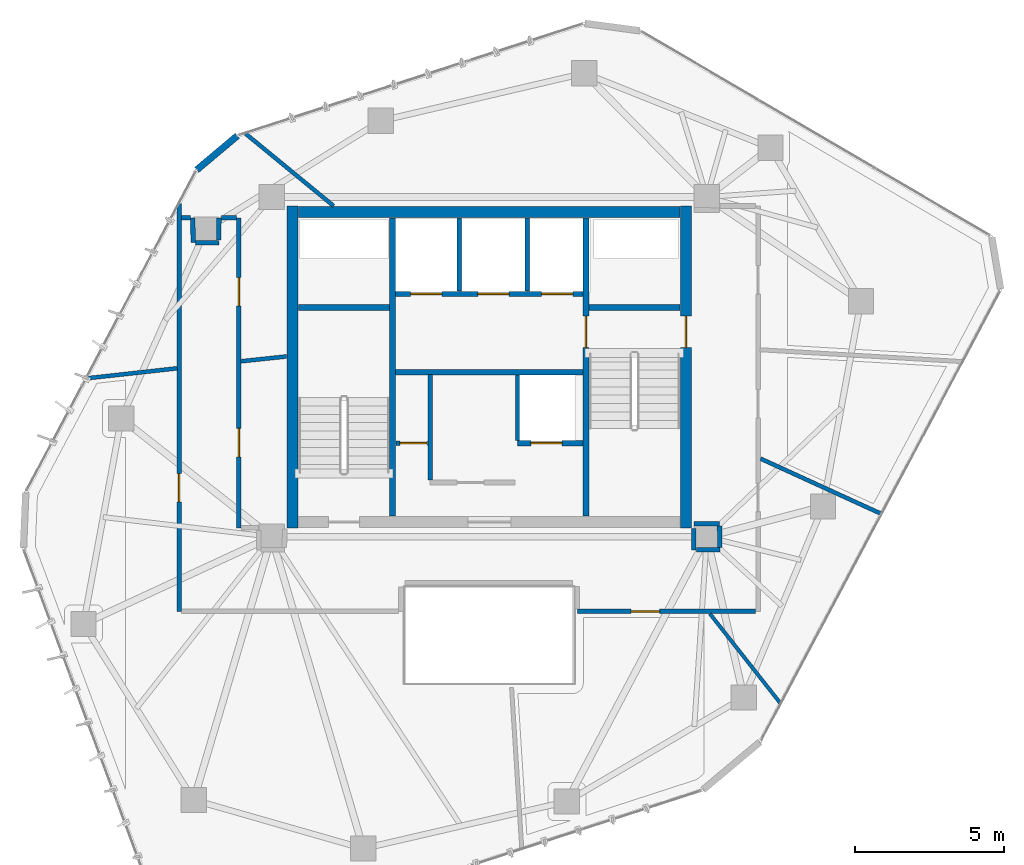
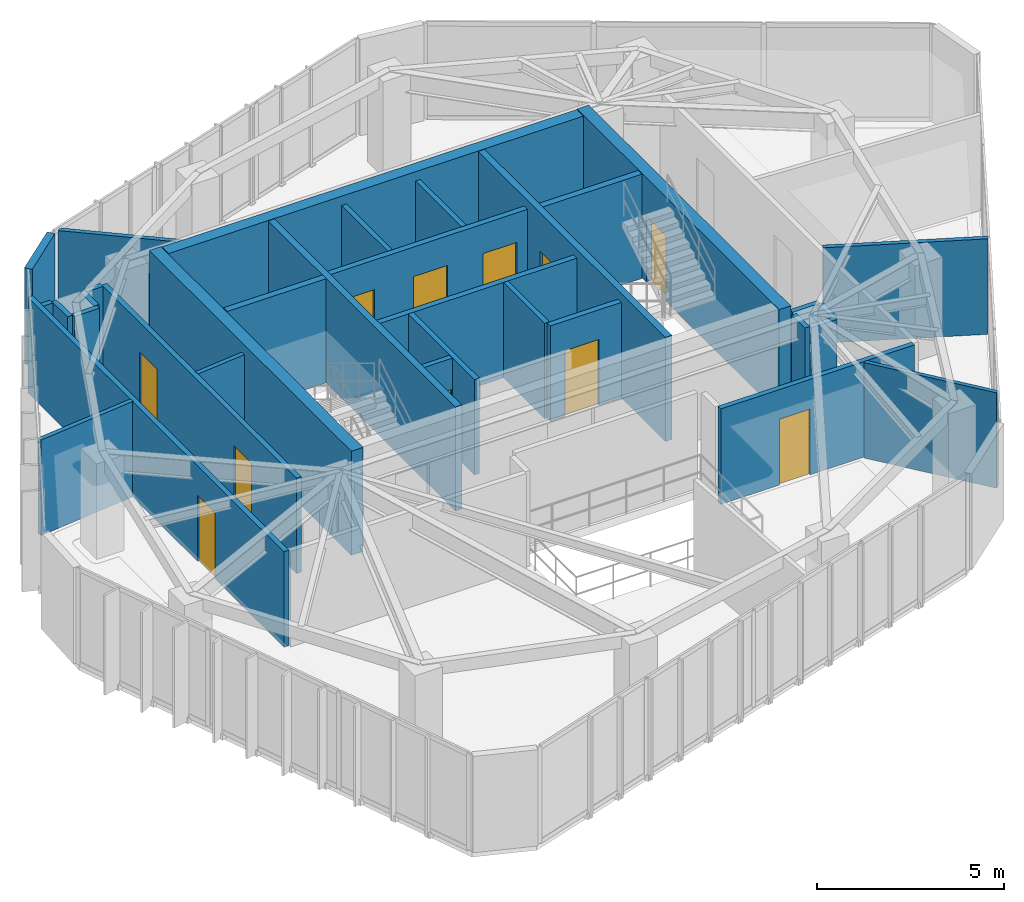
# One storey, part 16 of 19: 33 walls, 11 doors, 11 openings.
"""IFC4 building model written with IfcOpenShell, lengths in metres."""

import ifcopenshell
import ifcopenshell.guid

model = None  # the IFC model being written
_history = None  # IfcOwnerHistory: only IFC2X3 demands one
_inside = {}  # id of a spatial element -> (the spatial element, [elements in it])
_under = {}  # id of a project, library or spatial element -> (it, [spatial elements below it])
_declared = {}  # id of a project -> (the project, [libraries it declares])
_typed = {}  # id of a type object -> (the type object, [elements of that type])
_made_of = {}  # id of a material, layer set ... -> (it, [elements and type objects made of it])


def new_model(schema):
    """Start an empty IFC model of exactly this schema.

    Asked for "IFC4X3", IfcOpenShell would pick the latest addendum, in which some entities
    have other attributes; the version numbers below select the first issue.
    IFC2X3 requires an IfcOwnerHistory on every rooted entity: one is made here for all.
    """
    global model, _history
    if schema == "IFC4X3":
        model = ifcopenshell.file(schema_version=(4, 3, 0, 0))
    else:
        model = ifcopenshell.file(schema=schema)
    _inside.clear()
    _under.clear()
    _declared.clear()
    _typed.clear()
    _made_of.clear()
    _history = None
    if model.schema == "IFC2X3":
        org = make("IfcOrganization", Name="unknown")
        user = make(
            "IfcPersonAndOrganization",
            ThePerson=make("IfcPerson", FamilyName="unknown"),
            TheOrganization=org,
        )
        app = make(
            "IfcApplication",
            ApplicationDeveloper=org,
            Version="unknown",
            ApplicationFullName="unknown",
            ApplicationIdentifier="unknown",
        )
        _history = make(
            "IfcOwnerHistory",
            OwningUser=user,
            OwningApplication=app,
            ChangeAction="ADDED",
            CreationDate=0,
        )
    return model


def make(cls, **values):
    """One entity of the class cls with the attributes given. An attribute that is None is left unset."""
    return model.create_entity(
        cls, **{name: value for name, value in values.items() if value is not None}
    )


def rooted(cls, **values):
    """An entity with a GlobalId (a new one), such as an element, a storey or a relation."""
    return make(cls, GlobalId=ifcopenshell.guid.new(), OwnerHistory=_history, **values)


def si_unit(unit_type, name, prefix=None):
    """IfcSIUnit, for example si_unit("LENGTHUNIT", "METRE", prefix="MILLI")."""
    return make("IfcSIUnit", UnitType=unit_type, Prefix=prefix, Name=name)


def assignment(units):
    """IfcUnitAssignment: the units of a project."""
    return None if units is None else make("IfcUnitAssignment", Units=units)


def point(xyz):
    """IfcCartesianPoint."""
    return None if xyz is None else make("IfcCartesianPoint", Coordinates=xyz)


def direction(xyz):
    """IfcDirection."""
    return None if xyz is None else make("IfcDirection", DirectionRatios=xyz)


def frame(location, z_axis=None, x_axis=None):
    """IfcAxis2Placement3D, a coordinate frame: its origin and axes. An axis left out is left unset."""
    return make(
        "IfcAxis2Placement3D",
        Location=point(location),
        Axis=direction(z_axis),
        RefDirection=direction(x_axis),
    )


def frame_2d(location, x_axis=None):
    """IfcAxis2Placement2D, a coordinate frame in the plane: its origin and x axis."""
    return make(
        "IfcAxis2Placement2D", Location=point(location), RefDirection=direction(x_axis)
    )


def origin():
    """The frame at (0, 0, 0) with its axes left unset."""
    return frame((0.0, 0.0, 0.0))


def place(relative_to, where):
    """IfcLocalPlacement: puts the frame where relative to a parent placement (None: the world)."""
    return make(
        "IfcLocalPlacement", PlacementRelTo=relative_to, RelativePlacement=where
    )


def context(
    kind, dimensions, precision=None, world=None, true_north=None, identifier=None
):
    """IfcGeometricRepresentationContext, for example the 3D "Model" context."""
    return make(
        "IfcGeometricRepresentationContext",
        ContextIdentifier=identifier,
        ContextType=kind,
        CoordinateSpaceDimension=dimensions,
        Precision=precision,
        WorldCoordinateSystem=world,
        TrueNorth=true_north,
    )


def subcontext(parent, identifier, kind, view, scale=None):
    """IfcGeometricRepresentationSubContext, for example "Body" below "Model"."""
    return make(
        "IfcGeometricRepresentationSubContext",
        ContextIdentifier=identifier,
        ContextType=kind,
        ParentContext=parent,
        TargetScale=scale,
        TargetView=view,
    )


def project(units=None, contexts=None):
    """IfcProject with its units and contexts."""
    return rooted(
        "IfcProject",
        Name="project",
        RepresentationContexts=contexts,
        UnitsInContext=assignment(units),
    )


def spatial(cls, under=None, at=None, **own):
    """A site, building, storey or space (cls), placed at a placement, below another one or the project."""
    s = rooted(cls, ObjectPlacement=at, **own)
    if under is not None:
        _under.setdefault(under.id(), (under, []))[1].append(s)
    return s


def profile(cls, at=None, kind="AREA", **sizes):
    """A parametric profile (cls). Its sizes go by their IFC names, for example OverallWidth=200.0."""
    return make(cls, ProfileType=kind, Position=at, **sizes)


def rectangle(**sizes):
    """IfcRectangleProfileDef."""
    return profile("IfcRectangleProfileDef", **sizes)


def extrude(swept, where, along, depth):
    """IfcExtrudedAreaSolid: the profile swept, set in the frame where, extruded along a direction by depth."""
    return make(
        "IfcExtrudedAreaSolid",
        SweptArea=swept,
        Position=where,
        ExtrudedDirection=direction(along),
        Depth=depth,
    )


def shape(context_of_items, identifier, shape_type, items):
    """IfcShapeRepresentation: the items that make up one representation, for example the "Body"."""
    return make(
        "IfcShapeRepresentation",
        ContextOfItems=context_of_items,
        RepresentationIdentifier=identifier,
        RepresentationType=shape_type,
        Items=items,
    )


def source(mapping_origin, context_of_items, identifier, shape_type, items):
    """IfcRepresentationMap: a shape defined once, which mapped items show again and again."""
    return make(
        "IfcRepresentationMap",
        MappingOrigin=mapping_origin,
        MappedRepresentation=shape(context_of_items, identifier, shape_type, items),
    )


def transform(
    local_origin,
    x_axis=None,
    y_axis=None,
    z_axis=None,
    scale=None,
    scale2=None,
    scale3=None,
    uniform=True,
):
    """IfcCartesianTransformationOperator3D, or its non-uniform kind. x_axis, y_axis, z_axis: its Axis1, 2, 3."""
    if uniform:
        return make(
            "IfcCartesianTransformationOperator3D",
            Axis1=direction(x_axis),
            Axis2=direction(y_axis),
            LocalOrigin=point(local_origin),
            Scale=scale,
            Axis3=direction(z_axis),
        )
    return make(
        "IfcCartesianTransformationOperator3DnonUniform",
        Axis1=direction(x_axis),
        Axis2=direction(y_axis),
        LocalOrigin=point(local_origin),
        Scale=scale,
        Axis3=direction(z_axis),
        Scale2=scale2,
        Scale3=scale3,
    )


def mapped(mapping_source, mapping_target):
    """IfcMappedItem: shows the shape of a source again, moved by a transform."""
    return make(
        "IfcMappedItem", MappingSource=mapping_source, MappingTarget=mapping_target
    )


def material(Name=None, Category=None):
    """IfcMaterial."""
    return make("IfcMaterial", Name=Name, Category=Category)


def layer(
    of_material, thickness, ventilated=None, Name=None, Category=None, Priority=None
):
    """IfcMaterialLayer: one layer of a wall or slab, of a material (None: an air gap)."""
    return make(
        "IfcMaterialLayer",
        Material=of_material,
        LayerThickness=thickness,
        IsVentilated=ventilated,
        Name=Name,
        Category=Category,
        Priority=Priority,
    )


def layer_set(layers, Name=None):
    """IfcMaterialLayerSet."""
    return make("IfcMaterialLayerSet", MaterialLayers=layers, LayerSetName=Name)


def made_of(thing, what):
    """Note that an element or type object is made of a material, layer set ...; save() writes the relation."""
    if what is not None:
        _made_of.setdefault(what.id(), (what, []))[1].append(thing)
    return thing


def type_object(cls, material=None, **own):
    """A type object (cls), such as IfcWallType, which elements share."""
    return made_of(rooted(cls, **own), material)


def type_shapes(of_type, sources):
    """Give a type object the sources (RepresentationMaps) that its elements show as mapped items."""
    of_type.RepresentationMaps = sources


def element(
    cls,
    number,
    at=None,
    inside=None,
    cuts=None,
    type_object=None,
    material=None,
    context=None,
    identifier="Body",
    shape_type=None,
    held_by="IfcProductDefinitionShape",
    body=None,
    shapes=None,
    **own,
):
    """One element of the class cls, such as IfcWall. Its Tag is "e" and its number.

    at: its placement. inside: the storey or other place that contains it. cuts: it is an
    opening in that element (IfcRelVoidsElement). A single representation is given by context,
    identifier, shape_type and body (its items); several are given by shapes. held_by: the class
    of the entity that holds the representations. save() writes the other relations.
    """
    e = rooted(cls, Tag="e%d" % number, ObjectPlacement=at, **own)
    if body is not None:
        shapes = [shape(context, identifier, shape_type, body)]
    if shapes is not None:
        e.Representation = make(held_by, Representations=shapes)
    if inside is not None:
        _inside.setdefault(inside.id(), (inside, []))[1].append(e)
    if cuts is not None:
        rooted(
            "IfcRelVoidsElement", RelatingBuildingElement=cuts, RelatedOpeningElement=e
        )
    if type_object is not None:
        _typed.setdefault(type_object.id(), (type_object, []))[1].append(e)
    return made_of(e, material)


def fill(opening, filler):
    """IfcRelFillsElement: the door or window that sits in an opening."""
    return rooted(
        "IfcRelFillsElement",
        RelatingOpeningElement=opening,
        RelatedBuildingElement=filler,
    )


def aggregate(whole, parts):
    """IfcRelAggregates: a whole, such as a stair, and the parts it consists of."""
    return rooted("IfcRelAggregates", RelatingObject=whole, RelatedObjects=parts)


def save(model, path):
    """Write the relations noted so far, then the file.

    IfcRelAggregates (storeys below a building ...), IfcRelContainedInSpatialStructure (elements
    in a storey), IfcRelDefinesByType, IfcRelAssociatesMaterial and IfcRelDeclares: one each for
    every whole, place, type object, material and project.
    """
    for whole, parts in _under.values():
        aggregate(whole, parts)
    for where, things in _inside.values():
        rooted(
            "IfcRelContainedInSpatialStructure",
            RelatedElements=things,
            RelatingStructure=where,
        )
    for kind, things in _typed.values():
        rooted("IfcRelDefinesByType", RelatedObjects=things, RelatingType=kind)
    for what, things in _made_of.values():
        rooted("IfcRelAssociatesMaterial", RelatedObjects=things, RelatingMaterial=what)
    for by, libraries in _declared.values():
        rooted("IfcRelDeclares", RelatingContext=by, RelatedDefinitions=libraries)
    model.write(path)


model = new_model("IFC4")

# Units and contexts
model_context = context("Model", 3, precision=1e-05, world=origin(), true_north=direction((0.0, 1.0)))
body_context = subcontext(model_context, "Body", "Model", "MODEL_VIEW")
ifc_project = project(units=[si_unit("LENGTHUNIT", "METRE"), si_unit("AREAUNIT", "SQUARE_METRE"), si_unit("VOLUMEUNIT", "CUBIC_METRE"), si_unit("PLANEANGLEUNIT", "RADIAN"), si_unit("MASSUNIT", "GRAM", prefix="KILO")], contexts=[model_context])

# Site, building, storey
site_placement = place(None, origin())
site = spatial("IfcSite", under=ifc_project, at=site_placement, CompositionType="ELEMENT")
building_placement = place(site_placement, origin())
building = spatial("IfcBuilding", under=site, at=building_placement, Name="Talar Marvaseh", CompositionType="ELEMENT")
storey_placement = place(building_placement, frame((0.0, 0.0, 288.39990234375)))
storey = spatial("IfcBuildingStorey", under=building, at=storey_placement, Name="L77", CompositionType="ELEMENT", Elevation=288.39990234375)

# Walls
ifc_material_1 = material(Name="Precast concrete C45/55", Category="concrete")
ifc_layer_1 = layer(ifc_material_1, 0.22509765625)
ifc_layer_set_1 = layer_set([ifc_layer_1], Name="Precast concrete C45/55")
wall_type_1 = type_object("IfcWallType", Name="Chamfered Hexagonal Corner Pier Wall Z4 225", PredefinedType="SOLIDWALL", material=ifc_layer_set_1)
wall_1_placement = place(storey_placement, frame((16.18603515625, 37.810791015625, 0.0), z_axis=(0.0, 0.0, 1.0), x_axis=(0.766047794499, 0.642783615646, 0.0)))
element("IfcWall", 1, at=wall_1_placement, inside=storey, type_object=wall_type_1, Name="L77 Chamfered Corner Limestone Pier 3", PredefinedType="SOLIDWALL", context=body_context, shape_type="SweptSolid", body=[
    extrude(rectangle(XDim=1.780517578125, YDim=0.22509765625, at=frame_2d((0.89013671875, 0.0))), origin(), (0.0, 0.0, 1.0), 3.14013671875),
])
ifc_material_2 = material(Name="Gypsum Board Partition Assembly")
ifc_layer_2 = layer(ifc_material_2, 0.155029296875)
ifc_layer_set_2 = layer_set([ifc_layer_2], Name="Gypsum Board Partition Assembly")
wall_type_2 = type_object("IfcWallType", Name="Corridor Fire-Rated Acoustic Partition 155", PredefinedType="PARTITIONING", material=ifc_layer_set_2)
wall_2_placement = place(storey_placement, frame((24.02001953125, 27.39990234375, 0.0), z_axis=(0.0, 0.0, 1.0), x_axis=(0.0, 1.0, 0.0)))
element("IfcWall", 2, at=wall_2_placement, inside=storey, type_object=wall_type_2, Name="L77 Core BOH Partition", PredefinedType="PARTITIONING", context=body_context, shape_type="SweptSolid", body=[
    extrude(rectangle(XDim=3.5400390625, YDim=0.155029296875, at=frame_2d((1.77001953125, 0.0))), origin(), (0.0, 0.0, 1.0), 3.114990234375),
])

# Wall, opening, door
wall_3_placement = place(storey_placement, frame((22.865966796875, 28.639892578125, 0.0), z_axis=(0.0, 0.0, 1.0), x_axis=(1.0, 0.0, 0.0)))
wall_3 = element("IfcWall", 3, at=wall_3_placement, inside=storey, type_object=wall_type_2, Name="L77 Core BOH Partition", PredefinedType="PARTITIONING", context=body_context, shape_type="SweptSolid", body=[
    extrude(rectangle(XDim=1.070556640625, YDim=0.155029296875, at=frame_2d((0.53515625, 0.0))), origin(), (0.0, 0.0, 1.0), 3.114990234375),
])
opening_1_placement = place(wall_3_placement, frame((0.139892578125, 0.0, 0.0)))
opening_1 = element("IfcOpeningElement", 4, at=opening_1_placement, cuts=wall_3, Name="Opening DR-BOH090", PredefinedType="OPENING", context=body_context, shape_type="SweptSolid", body=[
    extrude(rectangle(XDim=0.89990234375, YDim=2.10009765625, at=frame_2d((0.449951171875, 1.050048828125))), frame((0.0, 0.08740234375, 0.0), z_axis=(0.0, -1.0, 0.0), x_axis=(1.0, 0.0, 0.0)), (0.0, 0.0, 1.0), 0.175048828125),
])
ifc_material_3 = material(Name="Fire-Rated Steel Door Leaf", Category="steel")
door_type_1 = type_object("IfcDoorType", Name="Core Back-of-House Service Door 900x2100", OperationType="NOTDEFINED", PredefinedType="DOOR", material=ifc_material_3)
shared_shape_1 = source(origin(), body_context, "Body", "SweptSolid", [
    extrude(rectangle(XDim=0.89990234375, YDim=2.10009765625, at=frame_2d((0.449951171875, 1.050048828125))), frame((0.0, 0.02490234375, 0.0), z_axis=(0.0, -1.0, 0.0), x_axis=(1.0, 0.0, 0.0)), (0.0, 0.0, 1.0), 0.050048828125),
])
type_shapes(door_type_1, [shared_shape_1])
door_1_placement = place(opening_1_placement, origin())
door_1 = element("IfcDoor", 5, at=door_1_placement, inside=storey, type_object=door_type_1, Name="L77 Cleaner Core West Closet Door", OperationType="SINGLE_SWING_RIGHT", OverallHeight=2.10009765625, OverallWidth=0.89990234375, PredefinedType="DOOR", context=body_context, shape_type="MappedRepresentation", body=[
    mapped(shared_shape_1, transform((0.0, 0.0, 0.0), x_axis=(1.0, 0.0, 0.0), y_axis=(0.0, 1.0, 0.0), z_axis=(0.0, 0.0, 1.0), scale=1.0)),
])
fill(opening_1, door_1)

# Wall, openings, doors
wall_4_placement = place(storey_placement, frame((17.60009765625, 36.199951171875, 0.0), z_axis=(0.0, 0.0, 1.0), x_axis=(0.0, -1.0, 0.0)))
wall_4 = element("IfcWall", 6, at=wall_4_placement, inside=storey, type_object=wall_type_2, Name="L77 Interior Partition Wall", PredefinedType="PARTITIONING", context=body_context, shape_type="SweptSolid", body=[
    extrude(rectangle(XDim=10.39990234375, YDim=0.155029296875, at=frame_2d((5.199951171875, 0.0))), origin(), (0.0, 0.0, 1.0), 3.114990234375),
])
opening_2_placement = place(wall_4_placement, frame((2.006591796875, 0.0, 0.0)))
opening_2 = element("IfcOpeningElement", 7, at=opening_2_placement, cuts=wall_4, Name="Opening DR-WC095", PredefinedType="OPENING", context=body_context, shape_type="SweptSolid", body=[
    extrude(rectangle(XDim=0.949951171875, YDim=2.14990234375, at=frame_2d((0.47509765625, 1.074951171875))), frame((0.0, 0.08740234375, 0.0), z_axis=(0.0, -1.0, 0.0), x_axis=(1.0, 0.0, 0.0)), (0.0, 0.0, 1.0), 0.175048828125),
])
opening_3_placement = place(wall_4_placement, frame((7.066162109375, 0.0, 0.0)))
opening_3 = element("IfcOpeningElement", 8, at=opening_3_placement, cuts=wall_4, Name="Opening DR-WC095", PredefinedType="OPENING", context=body_context, shape_type="SweptSolid", body=[
    extrude(rectangle(XDim=0.949951171875, YDim=2.14990234375, at=frame_2d((0.47509765625, 1.074951171875))), frame((0.0, 0.08740234375, 0.0), z_axis=(0.0, -1.0, 0.0), x_axis=(1.0, 0.0, 0.0)), (0.0, 0.0, 1.0), 0.175048828125),
])
ifc_material_4 = material(Name="Acoustic Engineered Oak Timber", Category="wood")
door_type_2 = type_object("IfcDoorType", Name="Washroom and Service Room Door 950x2150", OperationType="NOTDEFINED", PredefinedType="DOOR", material=ifc_material_4)
shared_shape_2 = source(origin(), body_context, "Body", "SweptSolid", [
    extrude(rectangle(XDim=0.949951171875, YDim=2.14990234375, at=frame_2d((0.47509765625, 1.074951171875))), frame((0.0, 0.02490234375, 0.0), z_axis=(0.0, -1.0, 0.0), x_axis=(1.0, 0.0, 0.0)), (0.0, 0.0, 1.0), 0.050048828125),
])
type_shapes(door_type_2, [shared_shape_2])
door_2_placement = place(opening_2_placement, origin())
door_2 = element("IfcDoor", 9, at=door_2_placement, inside=storey, type_object=door_type_2, Name="L77 Manuscript Folio Archive Room Door", OperationType="SINGLE_SWING_LEFT", OverallHeight=2.14990234375, OverallWidth=0.949951171875, PredefinedType="DOOR", context=body_context, shape_type="MappedRepresentation", body=[
    mapped(shared_shape_2, transform((0.0, 0.0, 0.0), x_axis=(1.0, 0.0, 0.0), y_axis=(0.0, 1.0, 0.0), z_axis=(0.0, 0.0, 1.0), scale=1.0)),
])
fill(opening_2, door_2)
door_3_placement = place(opening_3_placement, origin())
door_3 = element("IfcDoor", 10, at=door_3_placement, inside=storey, type_object=door_type_2, Name="L77 WC Public Washrooms Door", OperationType="SINGLE_SWING_RIGHT", OverallHeight=2.14990234375, OverallWidth=0.949951171875, PredefinedType="DOOR", context=body_context, shape_type="MappedRepresentation", body=[
    mapped(shared_shape_2, transform((0.0, 0.0, 0.0), x_axis=(1.0, 0.0, 0.0), y_axis=(0.0, 1.0, 0.0), z_axis=(0.0, 0.0, 1.0), scale=1.0)),
])
fill(opening_3, door_3)

# Wall, opening, door
wall_5_placement = place(storey_placement, frame((34.9365234375, 23.0, 0.0), z_axis=(0.0, 0.0, 1.0), x_axis=(-1.0, 0.0, 0.0)))
wall_5 = element("IfcWall", 11, at=wall_5_placement, inside=storey, type_object=wall_type_2, Name="L77 Interior Partition Wall", PredefinedType="PARTITIONING", context=body_context, shape_type="SweptSolid", body=[
    extrude(rectangle(XDim=5.9765625, YDim=0.155029296875, at=frame_2d((2.98828125, 0.0))), origin(), (0.0, 0.0, 1.0), 3.114990234375),
])
opening_4_placement = place(wall_5_placement, frame((3.223388671875, 0.0, 0.0)))
opening_4 = element("IfcOpeningElement", 12, at=opening_4_placement, cuts=wall_5, Name="Opening DR-WC095", PredefinedType="OPENING", context=body_context, shape_type="SweptSolid", body=[
    extrude(rectangle(XDim=0.949951171875, YDim=2.14990234375, at=frame_2d((0.47509765625, 1.074951171875))), frame((0.0, 0.08740234375, 0.0), z_axis=(0.0, -1.0, 0.0), x_axis=(1.0, 0.0, 0.0)), (0.0, 0.0, 1.0), 0.175048828125),
])
door_4_placement = place(opening_4_placement, origin())
door_4 = element("IfcDoor", 13, at=door_4_placement, inside=storey, type_object=door_type_2, Name="L77 Hospitality Tea Pantry Door", OperationType="SINGLE_SWING_LEFT", OverallHeight=2.14990234375, OverallWidth=0.949951171875, PredefinedType="DOOR", context=body_context, shape_type="MappedRepresentation", body=[
    mapped(shared_shape_2, transform((0.0, 0.0, 0.0), x_axis=(1.0, 0.0, 0.0), y_axis=(0.0, 1.0, 0.0), z_axis=(0.0, 0.0, 1.0), scale=1.0)),
])
fill(opening_4, door_4)

wall_6_placement = place(storey_placement, frame((15.60009765625, 23.0, 0.0), z_axis=(0.0, 0.0, 1.0), x_axis=(0.0, 1.0, 0.0)))
wall_6 = element("IfcWall", 14, at=wall_6_placement, inside=storey, type_object=wall_type_2, Name="L77 Interior Partition Wall", PredefinedType="PARTITIONING", context=body_context, shape_type="SweptSolid", body=[
    extrude(rectangle(XDim=13.689697265625, YDim=0.155029296875, at=frame_2d((6.8447265625, 0.0))), origin(), (0.0, 0.0, 1.0), 3.114990234375),
])
opening_5_placement = place(wall_6_placement, frame((3.67333984375, 0.0, 0.0)))
opening_5 = element("IfcOpeningElement", 15, at=opening_5_placement, cuts=wall_6, Name="Opening DR-WC095", PredefinedType="OPENING", context=body_context, shape_type="SweptSolid", body=[
    extrude(rectangle(XDim=0.949951171875, YDim=2.14990234375, at=frame_2d((0.47509765625, 1.074951171875))), frame((0.0, 0.08740234375, 0.0), z_axis=(0.0, -1.0, 0.0), x_axis=(1.0, 0.0, 0.0)), (0.0, 0.0, 1.0), 0.175048828125),
])
door_5_placement = place(opening_5_placement, origin())
door_5 = element("IfcDoor", 16, at=door_5_placement, inside=storey, type_object=door_type_2, Name="L77 Rare Books Archive Room Door", OperationType="SINGLE_SWING_RIGHT", OverallHeight=2.14990234375, OverallWidth=0.949951171875, PredefinedType="DOOR", context=body_context, shape_type="MappedRepresentation", body=[
    mapped(shared_shape_2, transform((0.0, 0.0, 0.0), x_axis=(1.0, 0.0, 0.0), y_axis=(0.0, 1.0, 0.0), z_axis=(0.0, 0.0, 1.0), scale=1.0)),
])
fill(opening_5, door_5)

# Walls
wall_7_placement = place(storey_placement, frame((16.053955078125, 36.199951171875, 0.0), z_axis=(0.0, 0.0, 1.0), x_axis=(0.018168161375, -0.999834945335, 0.0)))
element("IfcWall", 17, at=wall_7_placement, inside=storey, type_object=wall_type_2, Name="L77 Interior Partition Wall", PredefinedType="PARTITIONING", context=body_context, shape_type="SweptSolid", body=[
    extrude(rectangle(XDim=0.833251953125, YDim=0.155029296875, at=frame_2d((0.41650390625, 0.0))), origin(), (0.0, 0.0, 1.0), 3.114990234375),
])
wall_8_placement = place(storey_placement, frame((16.152587890625, 35.3671875, 0.0), z_axis=(0.0, 0.0, 1.0), x_axis=(0.999997558852, 0.002209590566, 0.0)))
element("IfcWall", 18, at=wall_8_placement, inside=storey, type_object=wall_type_2, Name="L77 Interior Partition Wall", PredefinedType="PARTITIONING", context=body_context, shape_type="SweptSolid", body=[
    extrude(rectangle(XDim=0.7734375, YDim=0.155029296875, at=frame_2d((0.38671875, 0.0))), origin(), (0.0, 0.0, 1.0), 3.114990234375),
])
wall_9_placement = place(storey_placement, frame((16.927001953125, 35.452392578125, 0.0), z_axis=(0.0, 0.0, 1.0), x_axis=(0.009470509294, 0.999955153721, 0.0)))
element("IfcWall", 19, at=wall_9_placement, inside=storey, type_object=wall_type_2, Name="L77 Interior Partition Wall", PredefinedType="PARTITIONING", context=body_context, shape_type="SweptSolid", body=[
    extrude(rectangle(XDim=0.74755859375, YDim=0.155029296875, at=frame_2d((0.373779296875, 0.0))), origin(), (0.0, 0.0, 1.0), 3.114990234375),
])
wall_10_placement = place(storey_placement, frame((17.017578125, 36.199951171875, 0.0), z_axis=(0.0, 0.0, 1.0), x_axis=(1.0, 0.0, 0.0)))
element("IfcWall", 20, at=wall_10_placement, inside=storey, type_object=wall_type_2, Name="L77 Interior Partition Wall", PredefinedType="PARTITIONING", context=body_context, shape_type="SweptSolid", body=[
    extrude(rectangle(XDim=0.4990234375, YDim=0.155029296875, at=frame_2d((0.24951171875, 0.0))), origin(), (0.0, 0.0, 1.0), 3.114990234375),
])
wall_11_placement = place(storey_placement, frame((15.68359375, 36.199951171875, 0.0), z_axis=(0.0, 0.0, 1.0), x_axis=(1.0, 0.0, 0.0)))
element("IfcWall", 21, at=wall_11_placement, inside=storey, type_object=wall_type_2, Name="L77 Interior Partition Wall", PredefinedType="PARTITIONING", context=body_context, shape_type="SweptSolid", body=[
    extrude(rectangle(XDim=0.286865234375, YDim=0.155029296875, at=frame_2d((0.1435546875, 0.0))), origin(), (0.0, 0.0, 1.0), 3.114990234375),
])
wall_12_placement = place(storey_placement, frame((33.72509765625, 25.93994140625, 0.0), z_axis=(0.0, 0.0, 1.0), x_axis=(-0.999986790873, -0.005139852152, 0.0)))
element("IfcWall", 22, at=wall_12_placement, inside=storey, type_object=wall_type_2, Name="L77 Interior Partition Wall", PredefinedType="PARTITIONING", context=body_context, shape_type="SweptSolid", body=[
    extrude(rectangle(XDim=0.85498046875, YDim=0.155029296875, at=frame_2d((0.427490234375, 0.0))), origin(), (0.0, 0.0, 1.0), 3.114990234375),
])
wall_13_placement = place(storey_placement, frame((32.864501953125, 25.772705078125, 0.0), z_axis=(0.0, 0.0, 1.0), x_axis=(0.0, -1.0, 0.0)))
element("IfcWall", 23, at=wall_13_placement, inside=storey, type_object=wall_type_2, Name="L77 Interior Partition Wall", PredefinedType="PARTITIONING", context=body_context, shape_type="SweptSolid", body=[
    extrude(rectangle(XDim=0.708251953125, YDim=0.155029296875, at=frame_2d((0.35400390625, 0.0))), origin(), (0.0, 0.0, 1.0), 3.114990234375),
])
wall_14_placement = place(storey_placement, frame((32.947998046875, 25.064453125, 0.0), z_axis=(0.0, 0.0, 1.0), x_axis=(1.0, 0.0, 0.0)))
element("IfcWall", 24, at=wall_14_placement, inside=storey, type_object=wall_type_2, Name="L77 Interior Partition Wall", PredefinedType="PARTITIONING", context=body_context, shape_type="SweptSolid", body=[
    extrude(rectangle(XDim=0.78759765625, YDim=0.155029296875, at=frame_2d((0.393798828125, 0.0))), origin(), (0.0, 0.0, 1.0), 3.114990234375),
])
wall_15_placement = place(storey_placement, frame((33.734619140625, 25.14794921875, 0.0), z_axis=(0.0, 0.0, 1.0), x_axis=(-0.012059770759, 0.99992727832, 0.0)))
element("IfcWall", 25, at=wall_15_placement, inside=storey, type_object=wall_type_2, Name="L77 Interior Partition Wall", PredefinedType="PARTITIONING", context=body_context, shape_type="SweptSolid", body=[
    extrude(rectangle(XDim=0.70849609375, YDim=0.155029296875, at=frame_2d((0.354248046875, 0.0))), origin(), (0.0, 0.0, 1.0), 3.114990234375),
])
ifc_layer_3 = layer(ifc_material_2, 0.1201171875)
ifc_layer_set_3 = layer_set([ifc_layer_3], Name="Gypsum Board Partition Assembly")
wall_type_3 = type_object("IfcWallType", Name="Demountable Studio Room Partition 120", PredefinedType="PARTITIONING", material=ifc_layer_set_3)
wall_16_placement = place(storey_placement, frame((33.40576171875, 22.91650390625, 0.0), z_axis=(0.0, 0.0, 1.0), x_axis=(0.618783541286, -0.785561537394, 0.0)))
element("IfcWall", 26, at=wall_16_placement, inside=storey, type_object=wall_type_3, Name="L77 Interior Partition Wall", PredefinedType="PARTITIONING", context=body_context, shape_type="SweptSolid", body=[
    extrude(rectangle(XDim=3.80908203125, YDim=0.1201171875, at=frame_2d((1.904541015625, 0.0))), origin(), (0.0, 0.0, 1.0), 3.114990234375),
])
ifc_layer_4 = layer(ifc_material_1, 0.14501953125)
ifc_layer_set_4 = layer_set([ifc_layer_4], Name="Precast concrete C45/55")
wall_type_4 = type_object("IfcWallType", Name="Fire-Rated Lift Divider Wall 145", PredefinedType="SOLIDWALL", material=ifc_layer_set_4)
for number, where, z_axis, x_axis, name in (
    (27, (25.0, 33.743408203125, 0.0), (0.0, 0.0, 1.0), (0.0, 1.0, 0.0), "L77 FFL-1/FFL-2 Divider"),
    (28, (27.280029296875, 33.743408203125, 0.0), (0.0, 0.0, 1.0), (0.0, 1.0, 0.0), "L77 FFL-2/SVL-1 Divider"),
):
    element("IfcWall", number, at=place(storey_placement, frame(where, z_axis=z_axis, x_axis=x_axis)), inside=storey, type_object=wall_type_4, Name=name, PredefinedType="SOLIDWALL", context=body_context, shape_type="SweptSolid", body=[
        extrude(rectangle(XDim=2.45654296875, YDim=0.14501953125, at=frame_2d((1.228271484375, 0.0))), origin(), (0.0, 0.0, 1.0), 3.114990234375),
    ])
wall_17_placement = place(storey_placement, frame((26.949951171875, 28.7333984375, 0.0), z_axis=(0.0, 0.0, 1.0), x_axis=(0.0, 1.0, 0.0)))
element("IfcWall", 29, at=wall_17_placement, inside=storey, type_object=wall_type_4, Name="L77 PL-H3 West Shaft Wall", PredefinedType="SOLIDWALL", context=body_context, shape_type="SweptSolid", body=[
    extrude(rectangle(XDim=2.193115234375, YDim=0.14501953125, at=frame_2d((1.0966796875, 0.0))), origin(), (0.0, 0.0, 1.0), 3.114990234375),
])

# Wall, openings, doors
ifc_layer_5 = layer(ifc_material_1, 0.175048828125)
ifc_layer_set_5 = layer_set([ifc_layer_5], Name="Precast concrete C45/55")
wall_type_5 = type_object("IfcWallType", Name="Fire-Rated Lift Hoistway Enclosure Wall 175", PredefinedType="SOLIDWALL", material=ifc_layer_set_5)
wall_18_placement = place(storey_placement, frame((22.860107421875, 33.64990234375, 0.0), z_axis=(0.0, 0.0, 1.0), x_axis=(1.0, 0.0, 0.0)))
wall_18 = element("IfcWall", 30, at=wall_18_placement, inside=storey, type_object=wall_type_5, Name="L77 Firefighting and Service Lift Front Wall", PredefinedType="SOLIDWALL", context=body_context, shape_type="SweptSolid", body=[
    extrude(rectangle(XDim=6.27978515625, YDim=0.175048828125, at=frame_2d((3.139892578125, 0.0))), origin(), (0.0, 0.0, 1.0), 3.114990234375),
])
opening_6_placement = place(wall_18_placement, frame((0.5, 0.0, 0.0)))
opening_6 = element("IfcOpeningElement", 31, at=opening_6_placement, cuts=wall_18, Name="Opening LD-FF1", PredefinedType="OPENING", context=body_context, shape_type="SweptSolid", body=[
    extrude(rectangle(XDim=1.050048828125, YDim=2.14990234375, at=frame_2d((0.52490234375, 1.074951171875))), frame((0.0, 0.09765625, 0.0), z_axis=(0.0, -1.0, 0.0), x_axis=(1.0, 0.0, 0.0)), (0.0, 0.0, 1.0), 0.195068359375),
])
opening_7_placement = place(wall_18_placement, frame((2.760009765625, 0.0, 0.0)))
opening_7 = element("IfcOpeningElement", 32, at=opening_7_placement, cuts=wall_18, Name="Opening LD-FF2", PredefinedType="OPENING", context=body_context, shape_type="SweptSolid", body=[
    extrude(rectangle(XDim=1.050048828125, YDim=2.14990234375, at=frame_2d((0.52490234375, 1.074951171875))), frame((0.0, 0.09765625, 0.0), z_axis=(0.0, -1.0, 0.0), x_axis=(1.0, 0.0, 0.0)), (0.0, 0.0, 1.0), 0.195068359375),
])
opening_8_placement = place(wall_18_placement, frame((4.89990234375, 0.0, 0.0)))
opening_8 = element("IfcOpeningElement", 33, at=opening_8_placement, cuts=wall_18, Name="Opening LD-SV1", PredefinedType="OPENING", context=body_context, shape_type="SweptSolid", body=[
    extrude(rectangle(XDim=1.050048828125, YDim=2.14990234375, at=frame_2d((0.52490234375, 1.074951171875))), frame((0.0, 0.09765625, 0.0), z_axis=(0.0, -1.0, 0.0), x_axis=(1.0, 0.0, 0.0)), (0.0, 0.0, 1.0), 0.195068359375),
])
ifc_material_5 = material(Name="Stainless Steel Grade 316", Category="steel")
door_type_3 = type_object("IfcDoorType", Name="Automatic Sliding Lift Landing Door 1050x2150", OperationType="NOTDEFINED", PredefinedType="DOOR", material=ifc_material_5)
shared_shape_3 = source(origin(), body_context, "Body", "SweptSolid", [
    extrude(rectangle(XDim=1.050048828125, YDim=2.14990234375, at=frame_2d((0.52490234375, 1.074951171875))), frame((0.0, 0.02490234375, 0.0), z_axis=(0.0, -1.0, 0.0), x_axis=(1.0, 0.0, 0.0)), (0.0, 0.0, 1.0), 0.050048828125),
])
type_shapes(door_type_3, [shared_shape_3])
door_6_placement = place(opening_6_placement, origin())
door_6 = element("IfcDoor", 34, at=door_6_placement, inside=storey, type_object=door_type_3, Name="L77 Lift FFL-1 Sliding Landing Door", OperationType="SLIDING_TO_LEFT", OverallHeight=2.14990234375, OverallWidth=1.050048828125, PredefinedType="DOOR", context=body_context, shape_type="MappedRepresentation", body=[
    mapped(shared_shape_3, transform((0.0, 0.0, 0.0), x_axis=(1.0, 0.0, 0.0), y_axis=(0.0, 1.0, 0.0), z_axis=(0.0, 0.0, 1.0), scale=1.0)),
])
fill(opening_6, door_6)
door_7_placement = place(opening_7_placement, origin())
door_7 = element("IfcDoor", 35, at=door_7_placement, inside=storey, type_object=door_type_3, Name="L77 Lift FFL-2 Sliding Landing Door", OperationType="SLIDING_TO_LEFT", OverallHeight=2.14990234375, OverallWidth=1.050048828125, PredefinedType="DOOR", context=body_context, shape_type="MappedRepresentation", body=[
    mapped(shared_shape_3, transform((0.0, 0.0, 0.0), x_axis=(1.0, 0.0, 0.0), y_axis=(0.0, 1.0, 0.0), z_axis=(0.0, 0.0, 1.0), scale=1.0)),
])
fill(opening_7, door_7)
door_8_placement = place(opening_8_placement, origin())
door_8 = element("IfcDoor", 36, at=door_8_placement, inside=storey, type_object=door_type_3, Name="L77 Lift SVL-1 Sliding Landing Door", OperationType="SLIDING_TO_LEFT", OverallHeight=2.14990234375, OverallWidth=1.050048828125, PredefinedType="DOOR", context=body_context, shape_type="MappedRepresentation", body=[
    mapped(shared_shape_3, transform((0.0, 0.0, 0.0), x_axis=(1.0, 0.0, 0.0), y_axis=(0.0, 1.0, 0.0), z_axis=(0.0, 0.0, 1.0), scale=1.0)),
])
fill(opening_8, door_8)

# Wall
wall_19_placement = place(storey_placement, frame((22.860107421875, 31.02001953125, 0.0), z_axis=(0.0, 0.0, 1.0), x_axis=(1.0, 0.0, 0.0)))
element("IfcWall", 37, at=wall_19_placement, inside=storey, type_object=wall_type_5, Name="L77 Firefighting Lobby South Smoke Wall", PredefinedType="SOLIDWALL", context=body_context, shape_type="SweptSolid", body=[
    extrude(rectangle(XDim=6.27978515625, YDim=0.175048828125, at=frame_2d((3.139892578125, 0.0))), origin(), (0.0, 0.0, 1.0), 3.114990234375),
])

# Wall, opening, door
wall_20_placement = place(storey_placement, frame((26.949951171875, 28.639892578125, 0.0), z_axis=(0.0, 0.0, 1.0), x_axis=(1.0, 0.0, 0.0)))
wall_20 = element("IfcWall", 38, at=wall_20_placement, inside=storey, type_object=wall_type_5, Name="L77 Sky Express Lift Front Wall", PredefinedType="SOLIDWALL", context=body_context, shape_type="SweptSolid", body=[
    extrude(rectangle(XDim=2.18994140625, YDim=0.175048828125, at=frame_2d((1.094970703125, 0.0))), origin(), (0.0, 0.0, 1.0), 3.114990234375),
])
opening_9_placement = place(wall_20_placement, frame((0.449951171875, 0.0, 0.0)))
opening_9 = element("IfcOpeningElement", 39, at=opening_9_placement, cuts=wall_20, Name="Opening LD-PLH3", PredefinedType="OPENING", context=body_context, shape_type="SweptSolid", body=[
    extrude(rectangle(XDim=1.050048828125, YDim=2.14990234375, at=frame_2d((0.52490234375, 1.074951171875))), frame((0.0, 0.09765625, 0.0), z_axis=(0.0, -1.0, 0.0), x_axis=(1.0, 0.0, 0.0)), (0.0, 0.0, 1.0), 0.195068359375),
])
door_9_placement = place(opening_9_placement, origin())
door_9 = element("IfcDoor", 40, at=door_9_placement, inside=storey, type_object=door_type_3, Name="L77 Lift PL-H3 Sliding Landing Door", OperationType="SLIDING_TO_LEFT", OverallHeight=2.14990234375, OverallWidth=1.050048828125, PredefinedType="DOOR", context=body_context, shape_type="MappedRepresentation", body=[
    mapped(shared_shape_3, transform((0.0, 0.0, 0.0), x_axis=(1.0, 0.0, 0.0), y_axis=(0.0, 1.0, 0.0), z_axis=(0.0, 0.0, 1.0), scale=1.0)),
])
fill(opening_9, door_9)

# Walls
ifc_layer_6 = layer(ifc_material_2, 0.135009765625)
ifc_layer_set_6 = layer_set([ifc_layer_6], Name="Gypsum Board Partition Assembly")
wall_type_6 = type_object("IfcWallType", Name="Gallery High-Acoustic Partition 135", PredefinedType="PARTITIONING", material=ifc_layer_set_6)
wall_21_placement = place(storey_placement, frame((12.49609375, 30.81640625, 0.0), z_axis=(0.0, 0.0, 1.0), x_axis=(0.993929411347, 0.110019658514, 0.0)))
element("IfcWall", 41, at=wall_21_placement, inside=storey, type_object=wall_type_6, Name="L77 Interior Partition Wall", PredefinedType="PARTITIONING", context=body_context, shape_type="SweptSolid", body=[
    extrude(rectangle(XDim=3.057861328125, YDim=0.135009765625, at=frame_2d((1.52880859375, 0.0))), origin(), (0.0, 0.0, 1.0), 3.114990234375),
])
wall_22_placement = place(storey_placement, frame((35.103515625, 28.121826171875, 0.0), z_axis=(0.0, 0.0, 1.0), x_axis=(0.909495872177, -0.41571295204, 0.0)))
element("IfcWall", 42, at=wall_22_placement, inside=storey, type_object=wall_type_6, Name="L77 Interior Partition Wall", PredefinedType="PARTITIONING", context=body_context, shape_type="SweptSolid", body=[
    extrude(rectangle(XDim=4.4375, YDim=0.135009765625, at=frame_2d((2.21875, 0.0))), origin(), (0.0, 0.0, 1.0), 3.114990234375),
])
wall_23_placement = place(storey_placement, frame((20.780029296875, 36.60009765625, 0.0), z_axis=(0.0, 0.0, 1.0), x_axis=(-0.772997914867, 0.634408562057, 0.0)))
element("IfcWall", 43, at=wall_23_placement, inside=storey, type_object=wall_type_6, Name="L77 Interior Partition Wall", PredefinedType="PARTITIONING", context=body_context, shape_type="SweptSolid", body=[
    extrude(rectangle(XDim=3.824462890625, YDim=0.135009765625, at=frame_2d((1.912109375, 0.0))), origin(), (0.0, 0.0, 1.0), 3.114990234375),
])
wall_24_placement = place(storey_placement, frame((19.199951171875, 31.550048828125, 0.0), z_axis=(0.0, 0.0, 1.0), x_axis=(-0.994406240461, -0.105623051141, 0.0)))
element("IfcWall", 44, at=wall_24_placement, inside=storey, type_object=wall_type_6, Name="L77 Interior Partition Wall", PredefinedType="PARTITIONING", context=body_context, shape_type="SweptSolid", body=[
    extrude(rectangle(XDim=1.5439453125, YDim=0.135009765625, at=frame_2d((0.77197265625, 0.0))), origin(), (0.0, 0.0, 1.0), 3.114990234375),
])
ifc_material_6 = material(Name="Concrete C50/60", Category="concrete")
ifc_layer_7 = layer(ifc_material_6, 0.199951171875)
ifc_layer_set_7 = layer_set([ifc_layer_7], Name="Concrete C50/60")
wall_type_7 = type_object("IfcWallType", Name="Stair Shaft Structural Concrete Shear Wall 200", PredefinedType="SHEAR", material=ifc_layer_set_7)
wall_25_placement = place(storey_placement, frame((22.760009765625, 26.199951171875, 0.0), z_axis=(0.0, 0.0, 1.0), x_axis=(0.0, 1.0, 0.0)))
element("IfcWall", 45, at=wall_25_placement, inside=storey, type_object=wall_type_7, Name="L77 Core West Stair Shear Wall", PredefinedType="SHEAR", context=body_context, shape_type="SweptSolid", body=[
    extrude(rectangle(XDim=10.0, YDim=0.199951171875, at=frame_2d((5.0, 0.0))), origin(), (0.0, 0.0, 1.0), 3.400146484375),
])

# Wall, opening, door
wall_26_placement = place(storey_placement, frame((29.239990234375, 26.199951171875, 0.0), z_axis=(0.0, 0.0, 1.0), x_axis=(0.0, 1.0, 0.0)))
wall_26 = element("IfcWall", 46, at=wall_26_placement, inside=storey, type_object=wall_type_7, Name="L77 Core East Stair Shear Wall", PredefinedType="SHEAR", context=body_context, shape_type="SweptSolid", body=[
    extrude(rectangle(XDim=10.0, YDim=0.199951171875, at=frame_2d((5.0, 0.0))), origin(), (0.0, 0.0, 1.0), 3.400146484375),
])
opening_10_placement = place(wall_26_placement, frame((5.64990234375, 0.0, 0.0)))
opening_10 = element("IfcOpeningElement", 47, at=opening_10_placement, cuts=wall_26, Name="Opening DR-ST105", PredefinedType="OPENING", context=body_context, shape_type="SweptSolid", body=[
    extrude(rectangle(XDim=1.050048828125, YDim=2.14990234375, at=frame_2d((0.52490234375, 1.074951171875))), frame((0.0, 0.10986328125, 0.0), z_axis=(0.0, -1.0, 0.0), x_axis=(1.0, 0.0, 0.0)), (0.0, 0.0, 1.0), 0.219970703125),
])
door_type_4 = type_object("IfcDoorType", Name="Protected Exit Stair Fire Door 1050x2150", OperationType="NOTDEFINED", PredefinedType="DOOR", material=ifc_material_3)
shared_shape_4 = source(origin(), body_context, "Body", "SweptSolid", [
    extrude(rectangle(XDim=1.050048828125, YDim=2.14990234375, at=frame_2d((0.52490234375, 1.074951171875))), frame((0.0, 0.02490234375, 0.0), z_axis=(0.0, -1.0, 0.0), x_axis=(1.0, 0.0, 0.0)), (0.0, 0.0, 1.0), 0.050048828125),
])
type_shapes(door_type_4, [shared_shape_4])
door_10_placement = place(opening_10_placement, origin())
door_10 = element("IfcDoor", 48, at=door_10_placement, inside=storey, type_object=door_type_4, Name="L77 Firefighting Lobby to Stair ST-2 Door", OperationType="SINGLE_SWING_LEFT", OverallHeight=2.14990234375, OverallWidth=1.050048828125, PredefinedType="DOOR", context=body_context, shape_type="MappedRepresentation", body=[
    mapped(shared_shape_4, transform((0.0, 0.0, 0.0), x_axis=(1.0, 0.0, 0.0), y_axis=(0.0, 1.0, 0.0), z_axis=(0.0, 0.0, 1.0), scale=1.0)),
])
fill(opening_10, door_10)

# Walls
for number, where, z_axis, x_axis, name in (
    (49, (19.60009765625, 33.199951171875, 0.0), (0.0, 0.0, 1.0), (1.0, 0.0, 0.0), "L77 Stair ST-1 North Shear Wall"),
    (50, (29.340087890625, 33.199951171875, 0.0), (0.0, 0.0, 1.0), (1.0, 0.0, 0.0), "L77 Stair ST-2 North Shear Wall"),
):
    element("IfcWall", number, at=place(storey_placement, frame(where, z_axis=z_axis, x_axis=x_axis)), inside=storey, type_object=wall_type_7, Name=name, PredefinedType="SHEAR", context=body_context, shape_type="SweptSolid", body=[
        extrude(rectangle(XDim=3.059814453125, YDim=0.199951171875, at=frame_2d((1.52978515625, 0.0))), origin(), (0.0, 0.0, 1.0), 3.400146484375),
    ])
ifc_layer_8 = layer(ifc_material_6, 0.360107421875)
ifc_layer_set_8 = layer_set([ifc_layer_8], Name="Concrete C50/60")
wall_type_8 = type_object("IfcWallType", Name="Upper Core Reinforced Concrete Shear Wall 360", PredefinedType="SHEAR", material=ifc_layer_set_8)
wall_27_placement = place(storey_placement, frame((19.39990234375, 25.800048828125, 0.0), z_axis=(0.0, 0.0, 1.0), x_axis=(0.0, 1.0, 0.0)))
element("IfcWall", 51, at=wall_27_placement, inside=storey, type_object=wall_type_8, Name="L77 West Core Shear Wall", PredefinedType="SHEAR", context=body_context, shape_type="SweptSolid", body=[
    extrude(rectangle(XDim=10.800048828125, YDim=0.360107421875, at=frame_2d((5.39990234375, 0.0))), origin(), (0.0, 0.0, 1.0), 3.400146484375),
])

# Wall, opening, door
wall_28_placement = place(storey_placement, frame((32.60009765625, 36.60009765625, 0.0), z_axis=(0.0, 0.0, 1.0), x_axis=(0.0, -1.0, 0.0)))
wall_28 = element("IfcWall", 52, at=wall_28_placement, inside=storey, type_object=wall_type_8, Name="L77 East Core Shear Wall", PredefinedType="SHEAR", context=body_context, shape_type="SweptSolid", body=[
    extrude(rectangle(XDim=10.800048828125, YDim=0.360107421875, at=frame_2d((5.39990234375, 0.0))), origin(), (0.0, 0.0, 1.0), 3.400146484375),
])
opening_11_placement = place(wall_28_placement, frame((3.699951171875, 0.0, 0.0)))
opening_11 = element("IfcOpeningElement", 53, at=opening_11_placement, cuts=wall_28, Name="Opening DR-ST105", PredefinedType="OPENING", context=body_context, shape_type="SweptSolid", body=[
    extrude(rectangle(XDim=1.050048828125, YDim=2.14990234375, at=frame_2d((0.52490234375, 1.074951171875))), frame((0.0, 0.18994140625, 0.0), z_axis=(0.0, -1.0, 0.0), x_axis=(1.0, 0.0, 0.0)), (0.0, 0.0, 1.0), 0.380126953125),
])
door_11_placement = place(opening_11_placement, origin())
door_11 = element("IfcDoor", 54, at=door_11_placement, inside=storey, type_object=door_type_4, Name="L77 Stair ST-2 Corridor Exit Door", OperationType="SINGLE_SWING_LEFT", OverallHeight=2.14990234375, OverallWidth=1.050048828125, PredefinedType="DOOR", context=body_context, shape_type="MappedRepresentation", body=[
    mapped(shared_shape_4, transform((0.0, 0.0, 0.0), x_axis=(1.0, 0.0, 0.0), y_axis=(0.0, 1.0, 0.0), z_axis=(0.0, 0.0, 1.0), scale=1.0)),
])
fill(opening_11, door_11)

# Wall
wall_29_placement = place(storey_placement, frame((19.60009765625, 36.39990234375, 0.0), z_axis=(0.0, 0.0, 1.0), x_axis=(1.0, 0.0, 0.0)))
element("IfcWall", 55, at=wall_29_placement, inside=storey, type_object=wall_type_8, Name="L77 North Core Shear Wall", PredefinedType="SHEAR", context=body_context, shape_type="SweptSolid", body=[
    extrude(rectangle(XDim=12.7998046875, YDim=0.360107421875, at=frame_2d((6.39990234375, 0.0))), origin(), (0.0, 0.0, 1.0), 3.400146484375),
])

save(model, "model.ifc")
